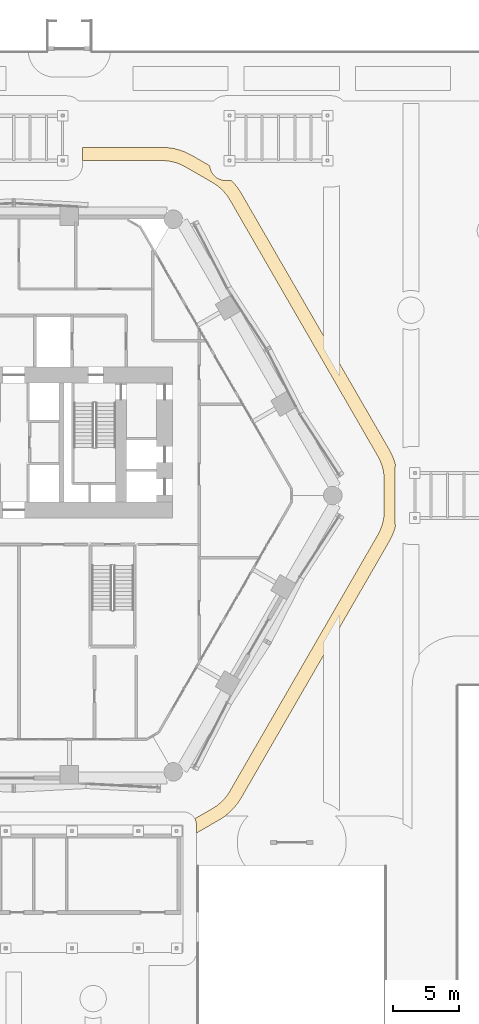
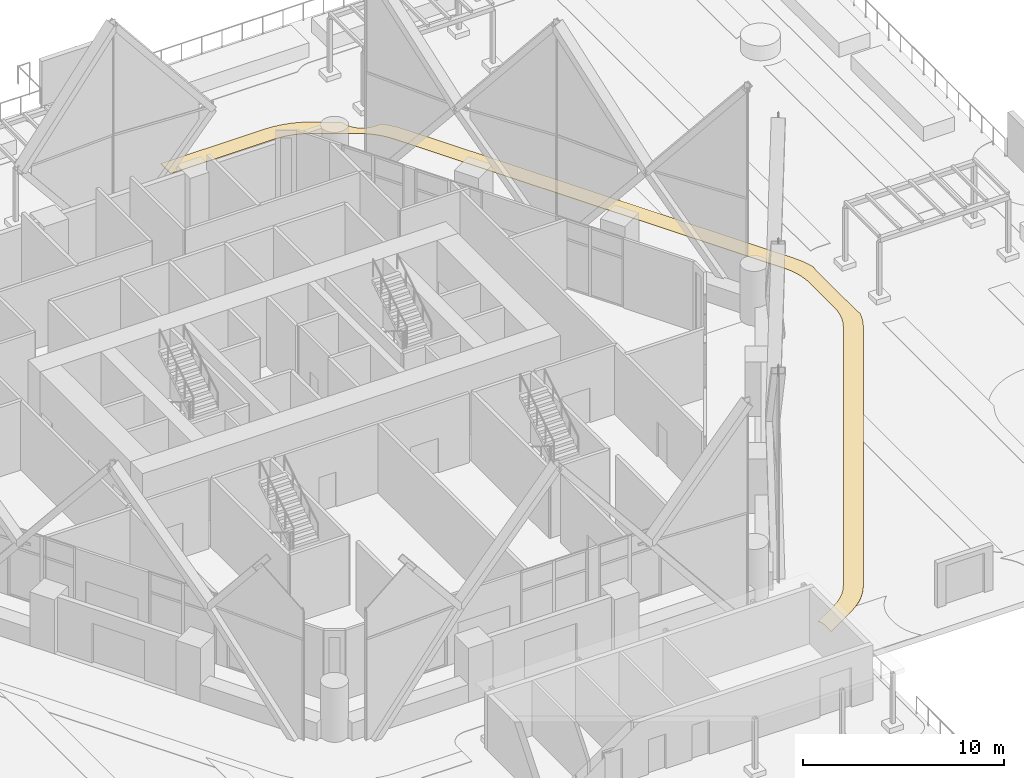
# One storey, part 67 of 71: 1 covering.
"""IFC4 building model written with IfcOpenShell, lengths in metres."""

from ifc_helpers import new_model, si_unit, direction, frame, origin, place, context, subcontext, project, spatial, polyline, outline, extrude, material, layer, layer_set, type_object, element, save


model = new_model("IFC4")

# Units and contexts
model_context = context("Model", 3, precision=1e-05, world=origin(), true_north=direction((0.0, 1.0)))
body_context = subcontext(model_context, "Body", "Model", "MODEL_VIEW")
ifc_project = project(units=[si_unit("LENGTHUNIT", "METRE"), si_unit("AREAUNIT", "SQUARE_METRE"), si_unit("VOLUMEUNIT", "CUBIC_METRE"), si_unit("PLANEANGLEUNIT", "RADIAN"), si_unit("MASSUNIT", "GRAM", prefix="KILO")], contexts=[model_context])

# Site, building, storey
site_placement = place(None, origin())
site = spatial("IfcSite", under=ifc_project, at=site_placement, CompositionType="ELEMENT")
building_placement = place(site_placement, origin())
building = spatial("IfcBuilding", under=site, at=building_placement, Name="Ostrander Bayou Hotel Tower", CompositionType="ELEMENT")
storey_placement = place(building_placement, frame((0.0, 0.0, 10.0)))
storey = spatial("IfcBuildingStorey", under=building, at=storey_placement, Name="L02", CompositionType="ELEMENT", Elevation=10.0)

# Covering
ifc_material = material(Name="Granite paving on bedding", Category="masonry")
ifc_layer = layer(ifc_material, 0.030029296875)
ifc_layer_set = layer_set([ifc_layer], Name="CV6 paving band 30 mm")
covering_type = type_object("IfcCoveringType", Name="CV6 paving band 30 mm", PredefinedType="FLOORING", material=ifc_layer_set)
covering_placement = place(storey_placement, origin())
element("IfcCovering", 1, at=covering_placement, inside=storey, type_object=covering_type, Name="PAVING BAND ring 2", PredefinedType="FLOORING", context=body_context, shape_type="SweptSolid", body=[
    extrude(outline(polyline([(11.20068359375, 26.300048828125), (11.6708984375, 26.275390625), (12.13623046875, 26.20166015625), (12.59130859375, 26.079833984375), (13.031005859375, 25.910888671875), (13.45068359375, 25.697021484375), (14.80419921875, 24.91552734375), (14.805908203125, 24.88232421875), (14.822998046875, 24.765869140625), (14.851806640625, 24.651611328125), (14.891357421875, 24.540771484375), (14.941650390625, 24.434326171875), (15.002197265625, 24.333251953125), (15.072509765625, 24.23876953125), (15.151611328125, 24.151611328125), (15.23876953125, 24.072509765625), (15.333251953125, 24.002197265625), (15.434326171875, 23.941650390625), (15.540771484375, 23.891357421875), (15.651611328125, 23.851806640625), (15.765869140625, 23.822998046875), (15.88232421875, 23.805908203125), (16.0, 23.800048828125), (16.434326171875, 23.800048828125), (16.623291015625, 23.611083984375), (16.919677734375, 23.2451171875), (17.17626953125, 22.85009765625), (28.376708984375, 3.449951171875), (28.590576171875, 3.0302734375), (28.759521484375, 2.590576171875), (28.83837890625, 2.295654296875), (28.822998046875, 2.234130859375), (28.805908203125, 2.11767578125), (28.800048828125, 2.0), (28.800048828125, -2.0), (28.805908203125, -2.11767578125), (28.822998046875, -2.234130859375), (28.83837890625, -2.295654296875), (28.759521484375, -2.590576171875), (28.590576171875, -3.0302734375), (28.376708984375, -3.449951171875), (17.17626953125, -22.85009765625), (16.919677734375, -23.2451171875), (16.623291015625, -23.611083984375), (16.2900390625, -23.944091796875), (15.924072265625, -24.240478515625), (15.529052734375, -24.4970703125), (13.800048828125, -25.495361328125), (13.800048828125, -24.89990234375), (13.795166015625, -24.802001953125), (13.78076171875, -24.704833984375), (13.7568359375, -24.609619140625), (13.723876953125, -24.517333984375), (13.681884765625, -24.4287109375), (13.673095703125, -24.413818359375), (15.029052734375, -23.631103515625), (15.336181640625, -23.431640625), (15.62109375, -23.200927734375), (15.880126953125, -22.94189453125), (16.110595703125, -22.6572265625), (16.31005859375, -22.35009765625), (27.5107421875, -2.949951171875), (27.677001953125, -2.62353515625), (27.808349609375, -2.281494140625), (27.9033203125, -1.927734375), (27.96044921875, -1.56591796875), (27.979736328125, -1.199951171875), (27.979736328125, 1.199951171875), (27.96044921875, 1.56591796875), (27.9033203125, 1.927734375), (27.808349609375, 2.281494140625), (27.677001953125, 2.62353515625), (27.5107421875, 2.949951171875), (16.31005859375, 22.35009765625), (16.110595703125, 22.6572265625), (15.880126953125, 22.94189453125), (15.62109375, 23.200927734375), (15.336181640625, 23.431640625), (15.029052734375, 23.631103515625), (12.95068359375, 24.8310546875), (12.624267578125, 24.997314453125), (12.2822265625, 25.128662109375), (11.92822265625, 25.223388671875), (11.56640625, 25.28076171875), (11.20068359375, 25.300048828125), (5.199951171875, 25.300048828125), (5.199951171875, 26.300048828125), (11.20068359375, 26.300048828125)])), origin(), (0.0, 0.0, 1.0), 0.030029296875),
])

save(model, "model.ifc")
